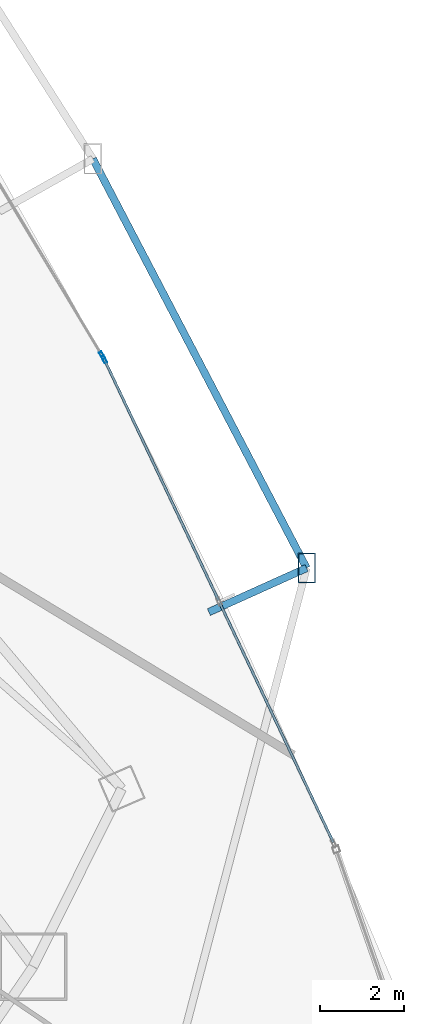
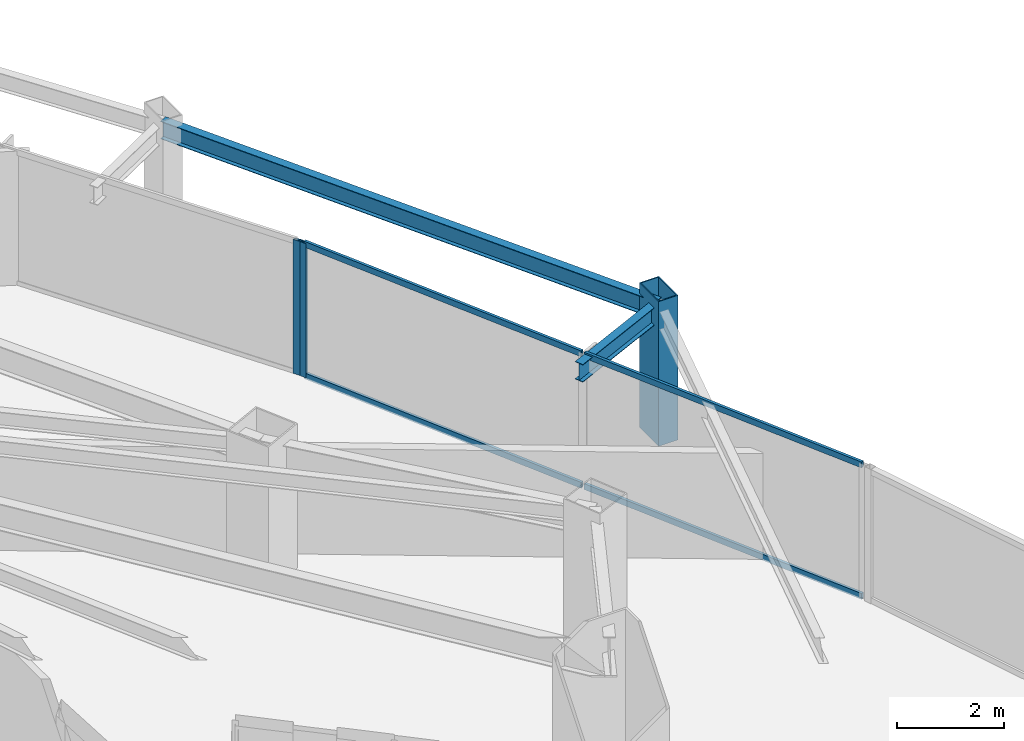
# One storey, part 21 of 38: 7 members, 2 beams, 2 elements without a shape of their own.
"""IFC4 building model written with IfcOpenShell, lengths in metres."""

import ifcopenshell
import ifcopenshell.guid

model = None  # the IFC model being written
_history = None  # IfcOwnerHistory: only IFC2X3 demands one
_inside = {}  # id of a spatial element -> (the spatial element, [elements in it])
_under = {}  # id of a project, library or spatial element -> (it, [spatial elements below it])
_declared = {}  # id of a project -> (the project, [libraries it declares])
_typed = {}  # id of a type object -> (the type object, [elements of that type])
_made_of = {}  # id of a material, layer set ... -> (it, [elements and type objects made of it])


def new_model(schema):
    """Start an empty IFC model of exactly this schema.

    Asked for "IFC4X3", IfcOpenShell would pick the latest addendum, in which some entities
    have other attributes; the version numbers below select the first issue.
    IFC2X3 requires an IfcOwnerHistory on every rooted entity: one is made here for all.
    """
    global model, _history
    if schema == "IFC4X3":
        model = ifcopenshell.file(schema_version=(4, 3, 0, 0))
    else:
        model = ifcopenshell.file(schema=schema)
    _inside.clear()
    _under.clear()
    _declared.clear()
    _typed.clear()
    _made_of.clear()
    _history = None
    if model.schema == "IFC2X3":
        org = make("IfcOrganization", Name="unknown")
        user = make(
            "IfcPersonAndOrganization",
            ThePerson=make("IfcPerson", FamilyName="unknown"),
            TheOrganization=org,
        )
        app = make(
            "IfcApplication",
            ApplicationDeveloper=org,
            Version="unknown",
            ApplicationFullName="unknown",
            ApplicationIdentifier="unknown",
        )
        _history = make(
            "IfcOwnerHistory",
            OwningUser=user,
            OwningApplication=app,
            ChangeAction="ADDED",
            CreationDate=0,
        )
    return model


def make(cls, **values):
    """One entity of the class cls with the attributes given. An attribute that is None is left unset."""
    return model.create_entity(
        cls, **{name: value for name, value in values.items() if value is not None}
    )


def rooted(cls, **values):
    """An entity with a GlobalId (a new one), such as an element, a storey or a relation."""
    return make(cls, GlobalId=ifcopenshell.guid.new(), OwnerHistory=_history, **values)


def si_unit(unit_type, name, prefix=None):
    """IfcSIUnit, for example si_unit("LENGTHUNIT", "METRE", prefix="MILLI")."""
    return make("IfcSIUnit", UnitType=unit_type, Prefix=prefix, Name=name)


def assignment(units):
    """IfcUnitAssignment: the units of a project."""
    return None if units is None else make("IfcUnitAssignment", Units=units)


def point(xyz):
    """IfcCartesianPoint."""
    return None if xyz is None else make("IfcCartesianPoint", Coordinates=xyz)


def direction(xyz):
    """IfcDirection."""
    return None if xyz is None else make("IfcDirection", DirectionRatios=xyz)


def frame(location, z_axis=None, x_axis=None):
    """IfcAxis2Placement3D, a coordinate frame: its origin and axes. An axis left out is left unset."""
    return make(
        "IfcAxis2Placement3D",
        Location=point(location),
        Axis=direction(z_axis),
        RefDirection=direction(x_axis),
    )


def frame_2d(location, x_axis=None):
    """IfcAxis2Placement2D, a coordinate frame in the plane: its origin and x axis."""
    return make(
        "IfcAxis2Placement2D", Location=point(location), RefDirection=direction(x_axis)
    )


def origin():
    """The frame at (0, 0, 0) with its axes left unset."""
    return frame((0.0, 0.0, 0.0))


def origin_2d():
    """The frame at (0, 0) in the plane with its x axis left unset."""
    return frame_2d((0.0, 0.0))


def place(relative_to, where):
    """IfcLocalPlacement: puts the frame where relative to a parent placement (None: the world)."""
    return make(
        "IfcLocalPlacement", PlacementRelTo=relative_to, RelativePlacement=where
    )


def context(
    kind, dimensions, precision=None, world=None, true_north=None, identifier=None
):
    """IfcGeometricRepresentationContext, for example the 3D "Model" context."""
    return make(
        "IfcGeometricRepresentationContext",
        ContextIdentifier=identifier,
        ContextType=kind,
        CoordinateSpaceDimension=dimensions,
        Precision=precision,
        WorldCoordinateSystem=world,
        TrueNorth=true_north,
    )


def subcontext(parent, identifier, kind, view, scale=None):
    """IfcGeometricRepresentationSubContext, for example "Body" below "Model"."""
    return make(
        "IfcGeometricRepresentationSubContext",
        ContextIdentifier=identifier,
        ContextType=kind,
        ParentContext=parent,
        TargetScale=scale,
        TargetView=view,
    )


def project(units=None, contexts=None):
    """IfcProject with its units and contexts."""
    return rooted(
        "IfcProject",
        Name="project",
        RepresentationContexts=contexts,
        UnitsInContext=assignment(units),
    )


def spatial(cls, under=None, at=None, **own):
    """A site, building, storey or space (cls), placed at a placement, below another one or the project."""
    s = rooted(cls, ObjectPlacement=at, **own)
    if under is not None:
        _under.setdefault(under.id(), (under, []))[1].append(s)
    return s


def profile(cls, at=None, kind="AREA", **sizes):
    """A parametric profile (cls). Its sizes go by their IFC names, for example OverallWidth=200.0."""
    return make(cls, ProfileType=kind, Position=at, **sizes)


def hollow_rectangle(**sizes):
    """IfcRectangleHollowProfileDef."""
    return profile("IfcRectangleHollowProfileDef", **sizes)


def i_section(**sizes):
    """IfcIShapeProfileDef."""
    return profile("IfcIShapeProfileDef", **sizes)


def extrude(swept, where, along, depth):
    """IfcExtrudedAreaSolid: the profile swept, set in the frame where, extruded along a direction by depth."""
    return make(
        "IfcExtrudedAreaSolid",
        SweptArea=swept,
        Position=where,
        ExtrudedDirection=direction(along),
        Depth=depth,
    )


def shape(context_of_items, identifier, shape_type, items):
    """IfcShapeRepresentation: the items that make up one representation, for example the "Body"."""
    return make(
        "IfcShapeRepresentation",
        ContextOfItems=context_of_items,
        RepresentationIdentifier=identifier,
        RepresentationType=shape_type,
        Items=items,
    )


def material(Name=None, Category=None):
    """IfcMaterial."""
    return make("IfcMaterial", Name=Name, Category=Category)


def layer(
    of_material, thickness, ventilated=None, Name=None, Category=None, Priority=None
):
    """IfcMaterialLayer: one layer of a wall or slab, of a material (None: an air gap)."""
    return make(
        "IfcMaterialLayer",
        Material=of_material,
        LayerThickness=thickness,
        IsVentilated=ventilated,
        Name=Name,
        Category=Category,
        Priority=Priority,
    )


def layer_set(layers, Name=None):
    """IfcMaterialLayerSet."""
    return make("IfcMaterialLayerSet", MaterialLayers=layers, LayerSetName=Name)


def material_profile(
    of_material, cross_section, Name=None, Category=None, Priority=None
):
    """IfcMaterialProfile: a cross section and its material."""
    return make(
        "IfcMaterialProfile",
        Name=Name,
        Material=of_material,
        Profile=cross_section,
        Priority=Priority,
        Category=Category,
    )


def profile_set(profiles, Name=None, composite=None):
    """IfcMaterialProfileSet."""
    return make(
        "IfcMaterialProfileSet",
        Name=Name,
        MaterialProfiles=profiles,
        CompositeProfile=composite,
    )


def made_of(thing, what):
    """Note that an element or type object is made of a material, layer set ...; save() writes the relation."""
    if what is not None:
        _made_of.setdefault(what.id(), (what, []))[1].append(thing)
    return thing


def type_object(cls, material=None, **own):
    """A type object (cls), such as IfcWallType, which elements share."""
    return made_of(rooted(cls, **own), material)


def element(
    cls,
    number,
    at=None,
    inside=None,
    cuts=None,
    type_object=None,
    material=None,
    context=None,
    identifier="Body",
    shape_type=None,
    held_by="IfcProductDefinitionShape",
    body=None,
    shapes=None,
    **own,
):
    """One element of the class cls, such as IfcWall. Its Tag is "e" and its number.

    at: its placement. inside: the storey or other place that contains it. cuts: it is an
    opening in that element (IfcRelVoidsElement). A single representation is given by context,
    identifier, shape_type and body (its items); several are given by shapes. held_by: the class
    of the entity that holds the representations. save() writes the other relations.
    """
    e = rooted(cls, Tag="e%d" % number, ObjectPlacement=at, **own)
    if body is not None:
        shapes = [shape(context, identifier, shape_type, body)]
    if shapes is not None:
        e.Representation = make(held_by, Representations=shapes)
    if inside is not None:
        _inside.setdefault(inside.id(), (inside, []))[1].append(e)
    if cuts is not None:
        rooted(
            "IfcRelVoidsElement", RelatingBuildingElement=cuts, RelatedOpeningElement=e
        )
    if type_object is not None:
        _typed.setdefault(type_object.id(), (type_object, []))[1].append(e)
    return made_of(e, material)


def aggregate(whole, parts):
    """IfcRelAggregates: a whole, such as a stair, and the parts it consists of."""
    return rooted("IfcRelAggregates", RelatingObject=whole, RelatedObjects=parts)


def save(model, path):
    """Write the relations noted so far, then the file.

    IfcRelAggregates (storeys below a building ...), IfcRelContainedInSpatialStructure (elements
    in a storey), IfcRelDefinesByType, IfcRelAssociatesMaterial and IfcRelDeclares: one each for
    every whole, place, type object, material and project.
    """
    for whole, parts in _under.values():
        aggregate(whole, parts)
    for where, things in _inside.values():
        rooted(
            "IfcRelContainedInSpatialStructure",
            RelatedElements=things,
            RelatingStructure=where,
        )
    for kind, things in _typed.values():
        rooted("IfcRelDefinesByType", RelatedObjects=things, RelatingType=kind)
    for what, things in _made_of.values():
        rooted("IfcRelAssociatesMaterial", RelatedObjects=things, RelatingMaterial=what)
    for by, libraries in _declared.values():
        rooted("IfcRelDeclares", RelatingContext=by, RelatedDefinitions=libraries)
    model.write(path)


model = new_model("IFC4")

# Units and contexts
model_context = context("Model", 3, precision=1e-05, world=origin(), true_north=direction((0.0, 1.0)))
body_context = subcontext(model_context, "Body", "Model", "MODEL_VIEW")
ifc_project = project(units=[si_unit("LENGTHUNIT", "METRE"), si_unit("AREAUNIT", "SQUARE_METRE"), si_unit("VOLUMEUNIT", "CUBIC_METRE"), si_unit("PLANEANGLEUNIT", "RADIAN"), si_unit("MASSUNIT", "GRAM", prefix="KILO")], contexts=[model_context])

# Site, building, storey
site_placement = place(None, origin())
site = spatial("IfcSite", under=ifc_project, at=site_placement, CompositionType="ELEMENT")
building_placement = place(site_placement, origin())
building = spatial("IfcBuilding", under=site, at=building_placement, Name="Orvanel Arch Residences", CompositionType="ELEMENT")
storey_placement = place(building_placement, frame((0.0, 0.0, 43.39990234375)))
storey = spatial("IfcBuildingStorey", under=building, at=storey_placement, Name="L11", CompositionType="ELEMENT", Elevation=43.39990234375)

# Member
ifc_material_1 = material(Name="Structural steel AS/NZS 3678 Grade 350", Category="steel")
ifc_material_profile_1 = material_profile(ifc_material_1, hollow_rectangle(XDim=0.419921875, YDim=0.719970703125, WallThickness=0.02490234375, at=origin_2d()), Name="RHS720x420x25")
ifc_profile_set_1 = profile_set([ifc_material_profile_1], Name="Structural steel AS/NZS 3678 Grade 350")
member_type_1 = type_object("IfcMemberType", Name="CH-720RHS-EXT", PredefinedType="CHORD", material=ifc_profile_set_1)
member_1_placement = place(storey_placement, frame((58.302978515625, 19.8291015625, 0.0), z_axis=(0.0, 0.0, 1.0), x_axis=(1.0, 0.0, 0.0)))
element("IfcMember", 1, at=member_1_placement, inside=storey, type_object=member_type_1, Name="L11 Outer Perimeter Frame Post 09", PredefinedType="CHORD", context=body_context, shape_type="SweptSolid", body=[
    extrude(hollow_rectangle(XDim=0.419921875, YDim=0.719970703125, WallThickness=0.02490234375, at=origin_2d()), origin(), (0.0, 0.0, 1.0), 3.300048828125),
])

# Curtain wall, member
ifc_material_2 = material(Name="Bronze-anodised aluminium AA6063-T6", Category="aluminium")
ifc_layer = layer(ifc_material_2, 0.179931640625)
ifc_layer_set = layer_set([ifc_layer], Name="Bronze-anodised aluminium AA6063-T6")
curtain_wall_type = type_object("IfcCurtainWallType", Name="CW2-LOW-SYS", PredefinedType="NOTDEFINED", material=ifc_layer_set)
curtain_wall_1_placement = place(storey_placement, origin())
curtain_wall_1 = element("IfcCurtainWall", 2, at=curtain_wall_1_placement, inside=storey, type_object=curtain_wall_type, Name="L11 CW2-LOW-SYS Unitised Curtain Wall", PredefinedType="NOTDEFINED")
ifc_material_profile_2 = material_profile(ifc_material_2, hollow_rectangle(XDim=0.070068359375, YDim=0.179931640625, WallThickness=0.00439453125, at=origin_2d()), Name="ALU180x70x4.5")
ifc_profile_set_2 = profile_set([ifc_material_profile_2], Name="Bronze-anodised aluminium AA6063-T6")
member_type_2 = type_object("IfcMemberType", Name="MUL-180x70", PredefinedType="MULLION", material=ifc_profile_set_2)
member_2_placement = place(storey_placement, frame((53.491943359375, 24.791259765625, 0.0), z_axis=(0.0, 0.0, 1.0), x_axis=(-0.903580469731, -0.42841841081, 0.0)))
member_2 = element("IfcMember", 3, at=member_2_placement, type_object=member_type_2, Name="CW-S2 mullion 3", PredefinedType="MULLION", context=body_context, shape_type="SweptSolid", body=[
    extrude(hollow_rectangle(XDim=0.070068359375, YDim=0.179931640625, WallThickness=0.00439453125, at=origin_2d()), origin(), (0.0, 0.0, 1.0), 3.06005859375),
])

curtain_wall_2_placement = place(storey_placement, origin())
curtain_wall_2 = element("IfcCurtainWall", 4, at=curtain_wall_2_placement, inside=storey, type_object=curtain_wall_type, Name="L11 CW2-LOW-SYS Unitised Curtain Wall", PredefinedType="NOTDEFINED")
member_3_placement = place(storey_placement, frame((53.43994140625, 24.887939453125, 0.0), z_axis=(0.0, 0.0, 1.0), x_axis=(-0.857569020053, -0.514368910263, 0.0)))
member_3 = element("IfcMember", 5, at=member_3_placement, type_object=member_type_2, Name="CW-S2 mullion 1", PredefinedType="MULLION", context=body_context, shape_type="SweptSolid", body=[
    extrude(hollow_rectangle(XDim=0.070068359375, YDim=0.179931640625, WallThickness=0.00439453125, at=origin_2d()), origin(), (0.0, 0.0, 1.0), 3.06005859375),
])
aggregate(curtain_wall_2, [member_3])

# Beams
ifc_material_3 = material(Name="Structural steel AS/NZS 3679.1 Grade 300 (300 MPa)", Category="steel")
ifc_material_profile_3 = material_profile(ifc_material_3, i_section(OverallWidth=0.177978515625, OverallDepth=0.406005859375, WebThickness=0.0078125, FlangeThickness=0.0126953125, at=origin_2d()), Name="410UB59.7")
ifc_profile_set_3 = profile_set([ifc_material_profile_3], Name="Structural steel AS/NZS 3679.1 Grade 300 (300 MPa)")
beam_type = type_object("IfcBeamType", Name="OB-410UB-EXT", PredefinedType="SPANDREL", material=ifc_profile_set_3)
beam_1_placement = place(storey_placement, frame((55.97802734375, 18.781005859375, 2.857177734375), z_axis=(0.911647244179, 0.410973602779, 0.0), x_axis=(-0.410973602779, 0.911647244179, 0.0)))
element("IfcBeam", 6, at=beam_1_placement, inside=storey, type_object=beam_type, Name="L11 Outer Frame Radial Tie Beam 09", PredefinedType="SPANDREL", context=body_context, shape_type="SweptSolid", body=[
    extrude(i_section(OverallWidth=0.177978515625, OverallDepth=0.406005859375, WebThickness=0.0078125, FlangeThickness=0.0126953125, at=origin_2d()), origin(), (0.0, 0.0, 1.0), 2.55029296875),
])
beam_2_placement = place(storey_placement, frame((58.302978515625, 19.8291015625, 2.857177734375), z_axis=(-0.462891303779, 0.886415050011, 0.0), x_axis=(-0.886415050011, -0.462891303779, 0.0)))
element("IfcBeam", 7, at=beam_2_placement, inside=storey, type_object=beam_type, Name="L11 Outer Perimeter Floor Ring Beam 09", PredefinedType="SPANDREL", context=body_context, shape_type="SweptSolid", body=[
    extrude(i_section(OverallWidth=0.177978515625, OverallDepth=0.406005859375, WebThickness=0.0078125, FlangeThickness=0.0126953125, at=origin_2d()), origin(), (0.0, 0.0, 1.0), 10.976806640625),
])

# Member
ifc_material_profile_4 = material_profile(ifc_material_2, hollow_rectangle(XDim=0.06005859375, YDim=0.135009765625, WallThickness=0.00390625, at=origin_2d()), Name="ALU135x60x4")
ifc_profile_set_4 = profile_set([ifc_material_profile_4], Name="Bronze-anodised aluminium AA6063-T6")
member_type_3 = type_object("IfcMemberType", Name="TRN-135x60", PredefinedType="USERDEFINED", material=ifc_profile_set_4)
member_4_placement = place(storey_placement, frame((58.93701171875, 13.30712890625, 0.030029296875), z_axis=(-0.428397709011, 0.903590284871, 0.0), x_axis=(-0.903590284871, -0.428397709011, 0.0)))
member_4 = element("IfcMember", 8, at=member_4_placement, type_object=member_type_3, Name="CW-S2 transom 1.1", ObjectType="TRANSOM", PredefinedType="USERDEFINED", context=body_context, shape_type="SweptSolid", body=[
    extrude(hollow_rectangle(XDim=0.06005859375, YDim=0.135009765625, WallThickness=0.00390625, at=origin_2d()), origin(), (0.0, 0.0, 1.0), 6.302490234375),
])

member_5_placement = place(storey_placement, frame((58.93701171875, 13.30712890625, 3.030029296875), z_axis=(-0.428397709011, 0.903590284871, 0.0), x_axis=(-0.903590284871, -0.428397709011, 0.0)))
member_5 = element("IfcMember", 9, at=member_5_placement, type_object=member_type_3, Name="CW-S2 transom 1.2", ObjectType="TRANSOM", PredefinedType="USERDEFINED", context=body_context, shape_type="SweptSolid", body=[
    extrude(hollow_rectangle(XDim=0.06005859375, YDim=0.135009765625, WallThickness=0.00390625, at=origin_2d()), origin(), (0.0, 0.0, 1.0), 6.302490234375),
])

member_6_placement = place(storey_placement, frame((56.20703125, 19.065185546875, 0.030029296875), z_axis=(-0.428412704598, 0.903583175219, 0.0), x_axis=(-0.903583175219, -0.428412704598, 0.0)))
member_6 = element("IfcMember", 10, at=member_6_placement, type_object=member_type_3, Name="CW-S2 transom 2.1", ObjectType="TRANSOM", PredefinedType="USERDEFINED", context=body_context, shape_type="SweptSolid", body=[
    extrude(hollow_rectangle(XDim=0.06005859375, YDim=0.135009765625, WallThickness=0.00390625, at=origin_2d()), origin(), (0.0, 0.0, 1.0), 6.30224609375),
])

member_7_placement = place(storey_placement, frame((56.20703125, 19.065185546875, 3.030029296875), z_axis=(-0.428412704598, 0.903583175219, 0.0), x_axis=(-0.903583175219, -0.428412704598, 0.0)))
member_7 = element("IfcMember", 11, at=member_7_placement, type_object=member_type_3, Name="CW-S2 transom 2.2", ObjectType="TRANSOM", PredefinedType="USERDEFINED", context=body_context, shape_type="SweptSolid", body=[
    extrude(hollow_rectangle(XDim=0.06005859375, YDim=0.135009765625, WallThickness=0.00390625, at=origin_2d()), origin(), (0.0, 0.0, 1.0), 6.30224609375),
])

aggregate(curtain_wall_1, [member_2, member_4, member_5, member_6, member_7])

save(model, "model.ifc")
